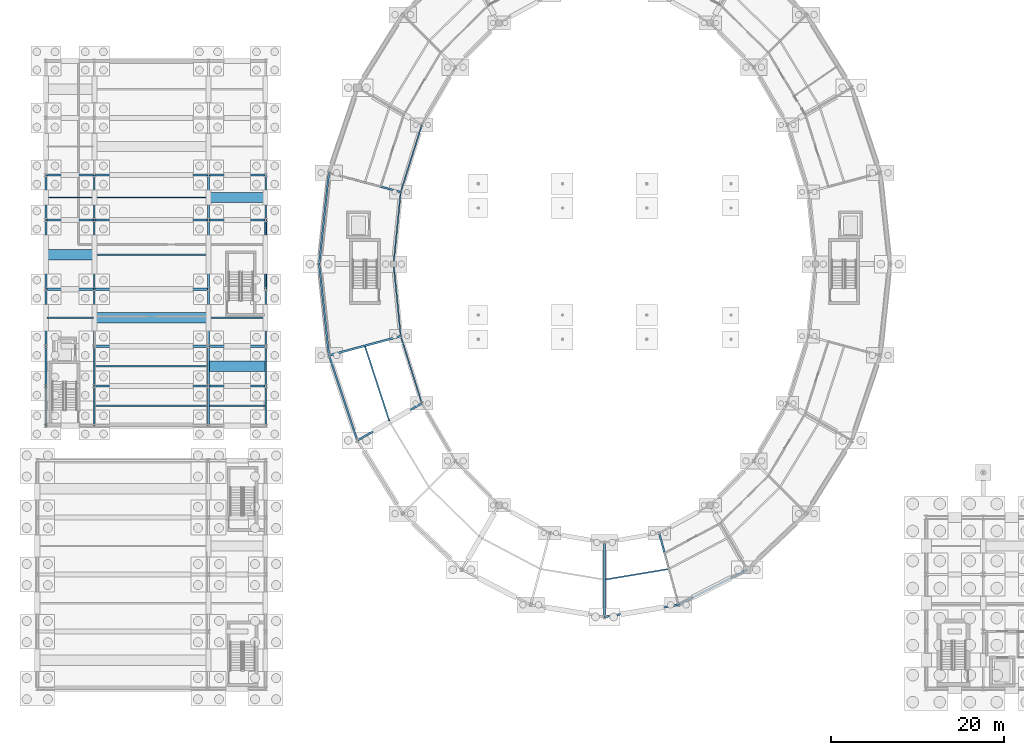
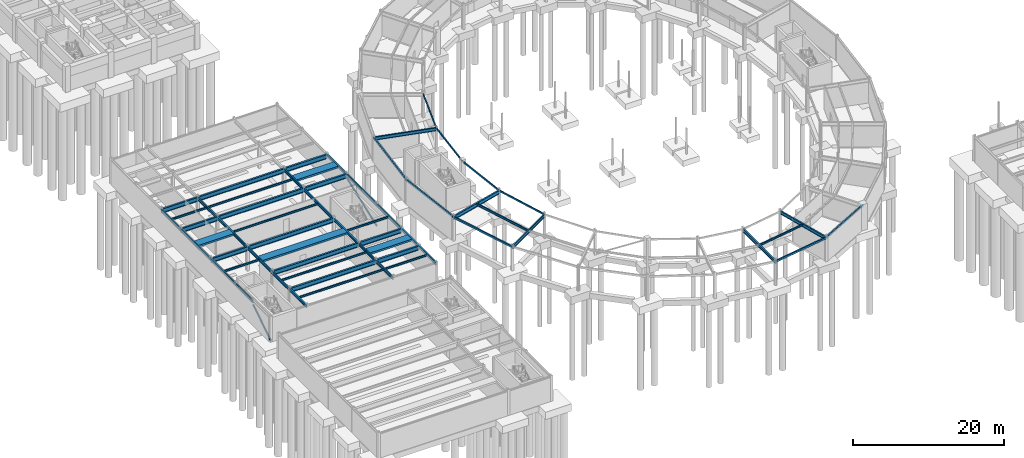
# One storey, part 24 of 58: 59 beams, 2 members.
"""IFC4 building model written with IfcOpenShell, lengths in metres."""

from ifc_helpers import new_model, si_unit, direction, frame, origin, origin_2d, place, context, subcontext, project, spatial, rectangle, hollow_rectangle, hollow_circle, i_section, extrude, material, material_profile, profile_set, type_object, element, save


model = new_model("IFC4")

# Units and contexts
model_context = context("Model", 3, precision=1e-05, world=origin(), true_north=direction((0.0, 1.0)))
body_context = subcontext(model_context, "Body", "Model", "MODEL_VIEW")
ifc_project = project(units=[si_unit("LENGTHUNIT", "METRE"), si_unit("AREAUNIT", "SQUARE_METRE"), si_unit("VOLUMEUNIT", "CUBIC_METRE"), si_unit("PLANEANGLEUNIT", "RADIAN"), si_unit("MASSUNIT", "GRAM", prefix="KILO")], contexts=[model_context])

# Site, building, storey
site_placement = place(None, origin())
site = spatial("IfcSite", under=ifc_project, at=site_placement, CompositionType="ELEMENT")
building_placement = place(site_placement, origin())
building = spatial("IfcBuilding", under=site, at=building_placement, Name="Karori Crest Natural Sciences Institute", CompositionType="ELEMENT")
storey_placement = place(building_placement, frame((0.0, 0.0, -4.199951171875)))
storey = spatial("IfcBuildingStorey", under=building, at=storey_placement, Name="B1", CompositionType="ELEMENT", Elevation=-4.199951171875)

# Beams
ifc_material_1 = material(Name="Structural steel AS/NZS 3679.1 Grade 350", Category="steel")
ifc_material_profile_1 = material_profile(ifc_material_1, i_section(OverallWidth=0.27490234375, OverallDepth=0.699951171875, WebThickness=0.010009765625, FlangeThickness=0.02001953125, FilletRadius=0.013916015625, at=origin_2d()), Name="700WB150")
ifc_profile_set_1 = profile_set([ifc_material_profile_1], Name="Structural steel AS/NZS 3679.1 Grade 350")
beam_type_1 = type_object("IfcBeamType", Name="BT-03", PredefinedType="BEAM", material=ifc_profile_set_1)
beam_1_placement = place(storey_placement, frame((7.39990234375, 35.800048828125, 3.570068359375), z_axis=(1.0, 0.0, 0.0), x_axis=(0.0, 1.0, 0.0)))
element("IfcBeam", 1, at=beam_1_placement, inside=storey, type_object=beam_type_1, Name="Beam B-0876", PredefinedType="BEAM", context=body_context, shape_type="SweptSolid", body=[
    extrude(i_section(OverallWidth=0.27490234375, OverallDepth=0.699951171875, WebThickness=0.010009765625, FlangeThickness=0.02001953125, FilletRadius=0.013916015625, at=origin_2d()), origin(), (0.0, 0.0, 1.0), 13.2001953125),
])
beam_2_placement = place(storey_placement, frame((20.60009765625, 35.800048828125, 3.570068359375), z_axis=(1.0, 0.0, 0.0), x_axis=(0.0, 1.0, 0.0)))
element("IfcBeam", 2, at=beam_2_placement, inside=storey, type_object=beam_type_1, Name="Beam B-0877", PredefinedType="BEAM", context=body_context, shape_type="SweptSolid", body=[
    extrude(i_section(OverallWidth=0.27490234375, OverallDepth=0.699951171875, WebThickness=0.010009765625, FlangeThickness=0.02001953125, FilletRadius=0.013916015625, at=origin_2d()), origin(), (0.0, 0.0, 1.0), 6.599853515625),
])
beam_3_placement = place(storey_placement, frame((7.39990234375, 40.39990234375, 3.570068359375), z_axis=(1.0, 0.0, 0.0), x_axis=(0.0, 1.0, 0.0)))
element("IfcBeam", 3, at=beam_3_placement, inside=storey, type_object=beam_type_1, Name="Beam B-0878", PredefinedType="BEAM", context=body_context, shape_type="SweptSolid", body=[
    extrude(i_section(OverallWidth=0.27490234375, OverallDepth=0.699951171875, WebThickness=0.010009765625, FlangeThickness=0.02001953125, FilletRadius=0.013916015625, at=origin_2d()), origin(), (0.0, 0.0, 1.0), 13.2001953125),
])
beam_4_placement = place(storey_placement, frame((20.60009765625, 40.39990234375, 3.570068359375), z_axis=(1.0, 0.0, 0.0), x_axis=(0.0, 1.0, 0.0)))
element("IfcBeam", 4, at=beam_4_placement, inside=storey, type_object=beam_type_1, Name="Beam B-0879", PredefinedType="BEAM", context=body_context, shape_type="SweptSolid", body=[
    extrude(i_section(OverallWidth=0.27490234375, OverallDepth=0.699951171875, WebThickness=0.010009765625, FlangeThickness=0.02001953125, FilletRadius=0.013916015625, at=origin_2d()), origin(), (0.0, 0.0, 1.0), 6.599853515625),
])
beam_5_placement = place(storey_placement, frame((1.800048828125, 47.0, 3.570068359375), z_axis=(1.0, 0.0, 0.0), x_axis=(0.0, 1.0, 0.0)))
element("IfcBeam", 5, at=beam_5_placement, inside=storey, type_object=beam_type_1, Name="Beam B-0880", PredefinedType="BEAM", context=body_context, shape_type="SweptSolid", body=[
    extrude(i_section(OverallWidth=0.27490234375, OverallDepth=0.699951171875, WebThickness=0.010009765625, FlangeThickness=0.02001953125, FilletRadius=0.013916015625, at=origin_2d()), origin(), (0.0, 0.0, 1.0), 5.599853515625),
])
beam_6_placement = place(storey_placement, frame((7.39990234375, 47.0, 3.570068359375), z_axis=(1.0, 0.0, 0.0), x_axis=(0.0, 1.0, 0.0)))
element("IfcBeam", 6, at=beam_6_placement, inside=storey, type_object=beam_type_1, Name="Beam B-0881", PredefinedType="BEAM", context=body_context, shape_type="SweptSolid", body=[
    extrude(i_section(OverallWidth=0.27490234375, OverallDepth=0.699951171875, WebThickness=0.010009765625, FlangeThickness=0.02001953125, FilletRadius=0.013916015625, at=origin_2d()), origin(), (0.0, 0.0, 1.0), 13.2001953125),
])
beam_7_placement = place(storey_placement, frame((1.800048828125, 55.0, 3.570068359375), z_axis=(1.0, 0.0, 0.0), x_axis=(0.0, 1.0, 0.0)))
element("IfcBeam", 7, at=beam_7_placement, inside=storey, type_object=beam_type_1, Name="Beam B-0882", PredefinedType="BEAM", context=body_context, shape_type="SweptSolid", body=[
    extrude(i_section(OverallWidth=0.27490234375, OverallDepth=0.699951171875, WebThickness=0.010009765625, FlangeThickness=0.02001953125, FilletRadius=0.013916015625, at=origin_2d()), origin(), (0.0, 0.0, 1.0), 5.599853515625),
])
beam_8_placement = place(storey_placement, frame((7.39990234375, 55.0, 3.570068359375), z_axis=(1.0, 0.0, 0.0), x_axis=(0.0, 1.0, 0.0)))
element("IfcBeam", 8, at=beam_8_placement, inside=storey, type_object=beam_type_1, Name="Beam B-0883", PredefinedType="BEAM", context=body_context, shape_type="SweptSolid", body=[
    extrude(i_section(OverallWidth=0.27490234375, OverallDepth=0.699951171875, WebThickness=0.010009765625, FlangeThickness=0.02001953125, FilletRadius=0.013916015625, at=origin_2d()), origin(), (0.0, 0.0, 1.0), 13.2001953125),
])
beam_9_placement = place(storey_placement, frame((20.60009765625, 55.0, 3.570068359375), z_axis=(1.0, 0.0, 0.0), x_axis=(0.0, 1.0, 0.0)))
element("IfcBeam", 9, at=beam_9_placement, inside=storey, type_object=beam_type_1, Name="Beam B-0884", PredefinedType="BEAM", context=body_context, shape_type="SweptSolid", body=[
    extrude(i_section(OverallWidth=0.27490234375, OverallDepth=0.699951171875, WebThickness=0.010009765625, FlangeThickness=0.02001953125, FilletRadius=0.013916015625, at=origin_2d()), origin(), (0.0, 0.0, 1.0), 6.599853515625),
])
beam_10_placement = place(storey_placement, frame((1.800048828125, 60.199951171875, 3.570068359375), z_axis=(1.0, 0.0, 0.0), x_axis=(0.0, 1.0, 0.0)))
element("IfcBeam", 10, at=beam_10_placement, inside=storey, type_object=beam_type_1, Name="Beam B-0885", PredefinedType="BEAM", context=body_context, shape_type="SweptSolid", body=[
    extrude(i_section(OverallWidth=0.27490234375, OverallDepth=0.699951171875, WebThickness=0.010009765625, FlangeThickness=0.02001953125, FilletRadius=0.013916015625, at=origin_2d()), origin(), (0.0, 0.0, 1.0), 5.599853515625),
])
beam_11_placement = place(storey_placement, frame((7.39990234375, 60.199951171875, 3.570068359375), z_axis=(1.0, 0.0, 0.0), x_axis=(0.0, 1.0, 0.0)))
element("IfcBeam", 11, at=beam_11_placement, inside=storey, type_object=beam_type_1, Name="Beam B-0886", PredefinedType="BEAM", context=body_context, shape_type="SweptSolid", body=[
    extrude(i_section(OverallWidth=0.27490234375, OverallDepth=0.699951171875, WebThickness=0.010009765625, FlangeThickness=0.02001953125, FilletRadius=0.013916015625, at=origin_2d()), origin(), (0.0, 0.0, 1.0), 13.2001953125),
])
beam_12_placement = place(storey_placement, frame((20.60009765625, 60.199951171875, 3.570068359375), z_axis=(1.0, 0.0, 0.0), x_axis=(0.0, 1.0, 0.0)))
element("IfcBeam", 12, at=beam_12_placement, inside=storey, type_object=beam_type_1, Name="Beam B-0887", PredefinedType="BEAM", context=body_context, shape_type="SweptSolid", body=[
    extrude(i_section(OverallWidth=0.27490234375, OverallDepth=0.699951171875, WebThickness=0.010009765625, FlangeThickness=0.02001953125, FilletRadius=0.013916015625, at=origin_2d()), origin(), (0.0, 0.0, 1.0), 6.599853515625),
])
ifc_material_profile_2 = material_profile(ifc_material_1, i_section(OverallWidth=0.208984375, OverallDepth=0.532958984375, WebThickness=0.01025390625, FlangeThickness=0.015625, FilletRadius=0.013916015625, at=origin_2d()), Name="530UB92.4")
ifc_profile_set_2 = profile_set([ifc_material_profile_2], Name="Structural steel AS/NZS 3679.1 Grade 350")
beam_type_2 = type_object("IfcBeamType", Name="BT-05", PredefinedType="BEAM", material=ifc_profile_set_2)
for number, where, z_axis, x_axis, name in (
    (13, (42.831298828125, 58.23388671875, 3.67333984375), (-0.965925622404, 0.258819806009, 0.0), (-0.258819806009, -0.965925622404, 0.0), "Beam B-0045"),
    (14, (45.26904296875, 33.800048828125, 3.67333984375), (-0.866021068297, -0.500007509209, 0.0), (0.500007509209, -0.866021068297, 0.0), "Beam B-0054"),
    (15, (66.39990234375, 17.699951171875, 3.67333984375), (0.0, -1.0, 0.0), (1.0, 0.0, 0.0), "Beam B-0070"),
    (16, (72.715087890625, 18.797119140625, 3.67333984375), (0.258819806009, -0.965925622404, 0.0), (0.965925622404, 0.258819806009, 0.0), "Beam B-0074"),
):
    element("IfcBeam", number, at=place(storey_placement, frame(where, z_axis=z_axis, x_axis=x_axis)), inside=storey, type_object=beam_type_2, Name=name, PredefinedType="BEAM", context=body_context, shape_type="SweptSolid", body=[
        extrude(i_section(OverallWidth=0.208984375, OverallDepth=0.532958984375, WebThickness=0.01025390625, FlangeThickness=0.015625, FilletRadius=0.013916015625, at=origin_2d()), origin(), (0.0, 0.0, 1.0), 8.599853515625),
    ])
ifc_material_profile_3 = material_profile(ifc_material_1, i_section(OverallWidth=0.19091796875, OverallDepth=0.4599609375, WebThickness=0.010009765625, FlangeThickness=0.01611328125, FilletRadius=0.010986328125, at=origin_2d()), Name="460UB82.1")
ifc_profile_set_3 = profile_set([ifc_material_profile_3], Name="Structural steel AS/NZS 3679.1 Grade 350")
beam_type_3 = type_object("IfcBeamType", Name="BT-06", PredefinedType="BEAM", material=ifc_profile_set_3)
beam_13_placement = place(storey_placement, frame((7.39990234375, 31.199951171875, 3.68994140625), z_axis=(0.0, 1.0, 0.0), x_axis=(-1.0, 0.0, 0.0)))
element("IfcBeam", 17, at=beam_13_placement, inside=storey, type_object=beam_type_3, Name="Beam B-0901", PredefinedType="BEAM", context=body_context, shape_type="SweptSolid", body=[
    extrude(i_section(OverallWidth=0.19091796875, OverallDepth=0.4599609375, WebThickness=0.010009765625, FlangeThickness=0.01611328125, FilletRadius=0.010986328125, at=origin_2d()), origin(), (0.0, 0.0, 1.0), 4.60009765625),
])
beam_14_placement = place(storey_placement, frame((7.39990234375, 35.800048828125, 3.68994140625), z_axis=(0.0, 1.0, 0.0), x_axis=(-1.0, 0.0, 0.0)))
element("IfcBeam", 18, at=beam_14_placement, inside=storey, type_object=beam_type_3, Name="Beam B-0902", PredefinedType="BEAM", context=body_context, shape_type="SweptSolid", body=[
    extrude(i_section(OverallWidth=0.19091796875, OverallDepth=0.4599609375, WebThickness=0.010009765625, FlangeThickness=0.01611328125, FilletRadius=0.010986328125, at=origin_2d()), origin(), (0.0, 0.0, 1.0), 4.599853515625),
])
beam_15_placement = place(storey_placement, frame((7.39990234375, 40.39990234375, 3.68994140625), z_axis=(0.0, 1.0, 0.0), x_axis=(-1.0, 0.0, 0.0)))
element("IfcBeam", 19, at=beam_15_placement, inside=storey, type_object=beam_type_3, Name="Beam B-0903", PredefinedType="BEAM", context=body_context, shape_type="SweptSolid", body=[
    extrude(i_section(OverallWidth=0.19091796875, OverallDepth=0.4599609375, WebThickness=0.010009765625, FlangeThickness=0.01611328125, FilletRadius=0.010986328125, at=origin_2d()), origin(), (0.0, 0.0, 1.0), 6.60009765625),
])
beam_16_placement = place(storey_placement, frame((7.39990234375, 47.0, 3.68994140625), z_axis=(0.0, 1.0, 0.0), x_axis=(-1.0, 0.0, 0.0)))
element("IfcBeam", 20, at=beam_16_placement, inside=storey, type_object=beam_type_3, Name="Beam B-0904", PredefinedType="BEAM", context=body_context, shape_type="SweptSolid", body=[
    extrude(i_section(OverallWidth=0.19091796875, OverallDepth=0.4599609375, WebThickness=0.010009765625, FlangeThickness=0.01611328125, FilletRadius=0.010986328125, at=origin_2d()), origin(), (0.0, 0.0, 1.0), 8.0),
])
beam_17_placement = place(storey_placement, frame((7.39990234375, 55.0, 3.68994140625), z_axis=(0.0, 1.0, 0.0), x_axis=(-1.0, 0.0, 0.0)))
element("IfcBeam", 21, at=beam_17_placement, inside=storey, type_object=beam_type_3, Name="Beam B-0905", PredefinedType="BEAM", context=body_context, shape_type="SweptSolid", body=[
    extrude(i_section(OverallWidth=0.19091796875, OverallDepth=0.4599609375, WebThickness=0.010009765625, FlangeThickness=0.01611328125, FilletRadius=0.010986328125, at=origin_2d()), origin(), (0.0, 0.0, 1.0), 5.199951171875),
])
beam_18_placement = place(storey_placement, frame((20.60009765625, 31.199951171875, 3.68994140625), z_axis=(0.0, 1.0, 0.0), x_axis=(-1.0, 0.0, 0.0)))
element("IfcBeam", 22, at=beam_18_placement, inside=storey, type_object=beam_type_3, Name="Beam B-0908", PredefinedType="BEAM", context=body_context, shape_type="SweptSolid", body=[
    extrude(i_section(OverallWidth=0.19091796875, OverallDepth=0.4599609375, WebThickness=0.010009765625, FlangeThickness=0.01611328125, FilletRadius=0.010986328125, at=origin_2d()), origin(), (0.0, 0.0, 1.0), 4.60009765625),
])
beam_19_placement = place(storey_placement, frame((20.60009765625, 35.800048828125, 3.68994140625), z_axis=(0.0, 1.0, 0.0), x_axis=(-1.0, 0.0, 0.0)))
element("IfcBeam", 23, at=beam_19_placement, inside=storey, type_object=beam_type_3, Name="Beam B-0909", PredefinedType="BEAM", context=body_context, shape_type="SweptSolid", body=[
    extrude(i_section(OverallWidth=0.19091796875, OverallDepth=0.4599609375, WebThickness=0.010009765625, FlangeThickness=0.01611328125, FilletRadius=0.010986328125, at=origin_2d()), origin(), (0.0, 0.0, 1.0), 4.599853515625),
])
beam_20_placement = place(storey_placement, frame((20.60009765625, 40.39990234375, 3.68994140625), z_axis=(0.0, 1.0, 0.0), x_axis=(-1.0, 0.0, 0.0)))
element("IfcBeam", 24, at=beam_20_placement, inside=storey, type_object=beam_type_3, Name="Beam B-0910", PredefinedType="BEAM", context=body_context, shape_type="SweptSolid", body=[
    extrude(i_section(OverallWidth=0.19091796875, OverallDepth=0.4599609375, WebThickness=0.010009765625, FlangeThickness=0.01611328125, FilletRadius=0.010986328125, at=origin_2d()), origin(), (0.0, 0.0, 1.0), 6.60009765625),
])
beam_21_placement = place(storey_placement, frame((20.60009765625, 47.0, 3.68994140625), z_axis=(0.0, 1.0, 0.0), x_axis=(-1.0, 0.0, 0.0)))
element("IfcBeam", 25, at=beam_21_placement, inside=storey, type_object=beam_type_3, Name="Beam B-0911", PredefinedType="BEAM", context=body_context, shape_type="SweptSolid", body=[
    extrude(i_section(OverallWidth=0.19091796875, OverallDepth=0.4599609375, WebThickness=0.010009765625, FlangeThickness=0.01611328125, FilletRadius=0.010986328125, at=origin_2d()), origin(), (0.0, 0.0, 1.0), 8.0),
])
beam_22_placement = place(storey_placement, frame((20.60009765625, 55.0, 3.68994140625), z_axis=(0.0, 1.0, 0.0), x_axis=(-1.0, 0.0, 0.0)))
element("IfcBeam", 26, at=beam_22_placement, inside=storey, type_object=beam_type_3, Name="Beam B-0912", PredefinedType="BEAM", context=body_context, shape_type="SweptSolid", body=[
    extrude(i_section(OverallWidth=0.19091796875, OverallDepth=0.4599609375, WebThickness=0.010009765625, FlangeThickness=0.01611328125, FilletRadius=0.010986328125, at=origin_2d()), origin(), (0.0, 0.0, 1.0), 5.199951171875),
])
ifc_material_profile_4 = material_profile(ifc_material_1, i_section(OverallWidth=0.19091796875, OverallDepth=0.4599609375, WebThickness=0.010009765625, FlangeThickness=0.01611328125, FilletRadius=0.010986328125, at=origin_2d()), Name="460UB82.1")
ifc_profile_set_4 = profile_set([ifc_material_profile_4], Name="Structural steel AS/NZS 3679.1 Grade 350")
beam_type_4 = type_object("IfcBeamType", Name="BT-06-EL", PredefinedType="BEAM", material=ifc_profile_set_4)
beam_23_placement = place(storey_placement, frame((1.800048828125, 35.800048828125, 3.68994140625), z_axis=(0.0, 1.0, 0.0), x_axis=(-1.0, 0.0, 0.0)))
element("IfcBeam", 27, at=beam_23_placement, inside=storey, type_object=beam_type_4, Name="Beam B-0895", PredefinedType="BEAM", context=body_context, shape_type="SweptSolid", body=[
    extrude(i_section(OverallWidth=0.19091796875, OverallDepth=0.4599609375, WebThickness=0.010009765625, FlangeThickness=0.01611328125, FilletRadius=0.010986328125, at=origin_2d()), origin(), (0.0, 0.0, 1.0), 4.599853515625),
])
beam_24_placement = place(storey_placement, frame((1.800048828125, 40.39990234375, 3.68994140625), z_axis=(0.0, 1.0, 0.0), x_axis=(-1.0, 0.0, 0.0)))
element("IfcBeam", 28, at=beam_24_placement, inside=storey, type_object=beam_type_4, Name="Beam B-0896", PredefinedType="BEAM", context=body_context, shape_type="SweptSolid", body=[
    extrude(i_section(OverallWidth=0.19091796875, OverallDepth=0.4599609375, WebThickness=0.010009765625, FlangeThickness=0.01611328125, FilletRadius=0.010986328125, at=origin_2d()), origin(), (0.0, 0.0, 1.0), 6.60009765625),
])
beam_25_placement = place(storey_placement, frame((1.800048828125, 47.0, 3.68994140625), z_axis=(0.0, 1.0, 0.0), x_axis=(-1.0, 0.0, 0.0)))
element("IfcBeam", 29, at=beam_25_placement, inside=storey, type_object=beam_type_4, Name="Beam B-0897", PredefinedType="BEAM", context=body_context, shape_type="SweptSolid", body=[
    extrude(i_section(OverallWidth=0.19091796875, OverallDepth=0.4599609375, WebThickness=0.010009765625, FlangeThickness=0.01611328125, FilletRadius=0.010986328125, at=origin_2d()), origin(), (0.0, 0.0, 1.0), 8.0),
])
beam_26_placement = place(storey_placement, frame((1.800048828125, 55.0, 3.68994140625), z_axis=(0.0, 1.0, 0.0), x_axis=(-1.0, 0.0, 0.0)))
element("IfcBeam", 30, at=beam_26_placement, inside=storey, type_object=beam_type_4, Name="Beam B-0898", PredefinedType="BEAM", context=body_context, shape_type="SweptSolid", body=[
    extrude(i_section(OverallWidth=0.19091796875, OverallDepth=0.4599609375, WebThickness=0.010009765625, FlangeThickness=0.01611328125, FilletRadius=0.010986328125, at=origin_2d()), origin(), (0.0, 0.0, 1.0), 5.199951171875),
])
beam_27_placement = place(storey_placement, frame((27.199951171875, 31.199951171875, 3.68994140625), z_axis=(0.0, 1.0, 0.0), x_axis=(-1.0, 0.0, 0.0)))
element("IfcBeam", 31, at=beam_27_placement, inside=storey, type_object=beam_type_4, Name="Beam B-0915", PredefinedType="BEAM", context=body_context, shape_type="SweptSolid", body=[
    extrude(i_section(OverallWidth=0.19091796875, OverallDepth=0.4599609375, WebThickness=0.010009765625, FlangeThickness=0.01611328125, FilletRadius=0.010986328125, at=origin_2d()), origin(), (0.0, 0.0, 1.0), 4.60009765625),
])
beam_28_placement = place(storey_placement, frame((27.199951171875, 35.800048828125, 3.68994140625), z_axis=(0.0, 1.0, 0.0), x_axis=(-1.0, 0.0, 0.0)))
element("IfcBeam", 32, at=beam_28_placement, inside=storey, type_object=beam_type_4, Name="Beam B-0916", PredefinedType="BEAM", context=body_context, shape_type="SweptSolid", body=[
    extrude(i_section(OverallWidth=0.19091796875, OverallDepth=0.4599609375, WebThickness=0.010009765625, FlangeThickness=0.01611328125, FilletRadius=0.010986328125, at=origin_2d()), origin(), (0.0, 0.0, 1.0), 4.599853515625),
])
beam_29_placement = place(storey_placement, frame((27.199951171875, 40.39990234375, 3.68994140625), z_axis=(0.0, 1.0, 0.0), x_axis=(-1.0, 0.0, 0.0)))
element("IfcBeam", 33, at=beam_29_placement, inside=storey, type_object=beam_type_4, Name="Beam B-0917", PredefinedType="BEAM", context=body_context, shape_type="SweptSolid", body=[
    extrude(i_section(OverallWidth=0.19091796875, OverallDepth=0.4599609375, WebThickness=0.010009765625, FlangeThickness=0.01611328125, FilletRadius=0.010986328125, at=origin_2d()), origin(), (0.0, 0.0, 1.0), 6.60009765625),
])
beam_30_placement = place(storey_placement, frame((27.199951171875, 47.0, 3.68994140625), z_axis=(0.0, 1.0, 0.0), x_axis=(-1.0, 0.0, 0.0)))
element("IfcBeam", 34, at=beam_30_placement, inside=storey, type_object=beam_type_4, Name="Beam B-0918", PredefinedType="BEAM", context=body_context, shape_type="SweptSolid", body=[
    extrude(i_section(OverallWidth=0.19091796875, OverallDepth=0.4599609375, WebThickness=0.010009765625, FlangeThickness=0.01611328125, FilletRadius=0.010986328125, at=origin_2d()), origin(), (0.0, 0.0, 1.0), 8.0),
])
beam_31_placement = place(storey_placement, frame((27.199951171875, 55.0, 3.68994140625), z_axis=(0.0, 1.0, 0.0), x_axis=(-1.0, 0.0, 0.0)))
element("IfcBeam", 35, at=beam_31_placement, inside=storey, type_object=beam_type_4, Name="Beam B-0919", PredefinedType="BEAM", context=body_context, shape_type="SweptSolid", body=[
    extrude(i_section(OverallWidth=0.19091796875, OverallDepth=0.4599609375, WebThickness=0.010009765625, FlangeThickness=0.01611328125, FilletRadius=0.010986328125, at=origin_2d()), origin(), (0.0, 0.0, 1.0), 5.199951171875),
])
ifc_material_profile_5 = material_profile(ifc_material_1, i_section(OverallWidth=0.166015625, OverallDepth=0.306884765625, WebThickness=0.006591796875, FlangeThickness=0.01171875, FilletRadius=0.010986328125, at=origin_2d()), Name="310UB46.2")
ifc_profile_set_5 = profile_set([ifc_material_profile_5], Name="Structural steel AS/NZS 3679.1 Grade 350")
beam_type_5 = type_object("IfcBeamType", Name="BT-09", PredefinedType="BEAM", material=ifc_profile_set_5)
for number, where, z_axis, x_axis, name in (
    (36, (1.8955078125, 43.699951171875, 3.766357421875), (1.0, 0.0, 0.0), (0.0, 1.0, 0.0), "Beam B-0922"),
    (37, (1.8955078125, 57.60009765625, 3.766357421875), (1.0, 0.0, 0.0), (0.0, 1.0, 0.0), "Beam B-0924"),
):
    element("IfcBeam", number, at=place(storey_placement, frame(where, z_axis=z_axis, x_axis=x_axis)), inside=storey, type_object=beam_type_5, Name=name, PredefinedType="BEAM", context=body_context, shape_type="SweptSolid", body=[
        extrude(i_section(OverallWidth=0.166015625, OverallDepth=0.306884765625, WebThickness=0.006591796875, FlangeThickness=0.01171875, FilletRadius=0.010986328125, at=origin_2d()), origin(), (0.0, 0.0, 1.0), 5.408935546875),
    ])
for number, where, z_axis, x_axis, name in (
    (38, (7.49560546875, 33.5, 3.766357421875), (1.0, 0.0, 0.0), (0.0, 1.0, 0.0), "Beam B-0927"),
    (39, (7.49560546875, 38.10009765625, 3.766357421875), (1.0, 0.0, 0.0), (0.0, 1.0, 0.0), "Beam B-0928"),
    (40, (7.49560546875, 51.0, 3.766357421875), (1.0, 0.0, 0.0), (0.0, 1.0, 0.0), "Beam B-0930"),
    (41, (7.49560546875, 57.60009765625, 3.766357421875), (1.0, 0.0, 0.0), (0.0, 1.0, 0.0), "Beam B-0931"),
):
    element("IfcBeam", number, at=place(storey_placement, frame(where, z_axis=z_axis, x_axis=x_axis)), inside=storey, type_object=beam_type_5, Name=name, PredefinedType="BEAM", context=body_context, shape_type="SweptSolid", body=[
        extrude(i_section(OverallWidth=0.166015625, OverallDepth=0.306884765625, WebThickness=0.006591796875, FlangeThickness=0.01171875, FilletRadius=0.010986328125, at=origin_2d()), origin(), (0.0, 0.0, 1.0), 13.0087890625),
    ])
for number, where, z_axis, x_axis, name in (
    (42, (20.695556640625, 33.5, 3.766357421875), (1.0, 0.0, 0.0), (0.0, 1.0, 0.0), "Beam B-0934"),
    (43, (20.695556640625, 43.699951171875, 3.766357421875), (1.0, 0.0, 0.0), (0.0, 1.0, 0.0), "Beam B-0936"),
):
    element("IfcBeam", number, at=place(storey_placement, frame(where, z_axis=z_axis, x_axis=x_axis)), inside=storey, type_object=beam_type_5, Name=name, PredefinedType="BEAM", context=body_context, shape_type="SweptSolid", body=[
        extrude(i_section(OverallWidth=0.166015625, OverallDepth=0.306884765625, WebThickness=0.006591796875, FlangeThickness=0.01171875, FilletRadius=0.010986328125, at=origin_2d()), origin(), (0.0, 0.0, 1.0), 6.408935546875),
    ])
ifc_material_profile_6 = material_profile(ifc_material_1, i_section(OverallWidth=0.1650390625, OverallDepth=0.303955078125, WebThickness=0.006103515625, FlangeThickness=0.01025390625, FilletRadius=0.010986328125, at=origin_2d()), Name="310UB40.4")
ifc_profile_set_6 = profile_set([ifc_material_profile_6], Name="Structural steel AS/NZS 3679.1 Grade 350")
beam_type_6 = type_object("IfcBeamType", Name="BT-10", PredefinedType="BEAM", material=ifc_profile_set_6)
beam_32_placement = place(storey_placement, frame((66.518310546875, 13.419921875, 3.787841796875), z_axis=(0.986276028212, 0.165104803609, 0.0), x_axis=(-0.165104803609, 0.986276028212, 0.0)))
element("IfcBeam", 44, at=beam_32_placement, inside=storey, type_object=beam_type_6, Name="Beam B-0071", PredefinedType="BEAM", context=body_context, shape_type="SweptSolid", body=[
    extrude(i_section(OverallWidth=0.1650390625, OverallDepth=0.303955078125, WebThickness=0.006103515625, FlangeThickness=0.01025390625, FilletRadius=0.010986328125, at=origin_2d()), origin(), (0.0, 0.0, 1.0), 7.29150390625),
])
ifc_material_2 = material(Name="Hollow structural steel AS/NZS 1163 Grade C350", Category="steel")
ifc_material_profile_7 = material_profile(ifc_material_2, hollow_rectangle(XDim=0.199951171875, YDim=0.300048828125, WallThickness=0.010009765625, at=origin_2d()), Name="RHS300x200x10")
ifc_profile_set_7 = profile_set([ifc_material_profile_7], Name="Hollow structural steel AS/NZS 1163 Grade C350")
beam_type_7 = type_object("IfcBeamType", Name="BT-15", PredefinedType="SPANDREL", material=ifc_profile_set_7)
for number, where, z_axis, x_axis, name in (
    (45, (34.5244140625, 60.459716796875, 3.7900390625), (-0.105891010563, -0.994377742049, 0.0), (0.994377742049, -0.105891010563, 0.0), "Beam B-0043"),
    (46, (33.39990234375, 49.89990234375, 3.7900390625), (0.105891010563, -0.994377742049, 0.0), (0.994377742049, 0.105891010563, 0.0), "Beam B-0046"),
):
    element("IfcBeam", number, at=place(storey_placement, frame(where, z_axis=z_axis, x_axis=x_axis)), inside=storey, type_object=beam_type_7, Name=name, PredefinedType="SPANDREL", context=body_context, shape_type="SweptSolid", body=[
        extrude(hollow_rectangle(XDim=0.199951171875, YDim=0.300048828125, WallThickness=0.010009765625, at=origin_2d()), origin(), (0.0, 0.0, 1.0), 10.61962890625),
    ])
beam_33_placement = place(storey_placement, frame((34.5244140625, 39.340087890625, 3.7900390625), z_axis=(0.317688324477, -0.948195195353, 0.0), x_axis=(0.948195195353, 0.317688324477, 0.0)))
element("IfcBeam", 47, at=beam_33_placement, inside=storey, type_object=beam_type_7, Name="Beam B-0048", PredefinedType="SPANDREL", context=body_context, shape_type="SweptSolid", body=[
    extrude(hollow_rectangle(XDim=0.199951171875, YDim=0.300048828125, WallThickness=0.010009765625, at=origin_2d()), origin(), (0.0, 0.0, 1.0), 10.377685546875),
])
beam_34_placement = place(storey_placement, frame((66.39990234375, 9.10009765625, 3.7900390625), z_axis=(0.987012055933, 0.160646199591, 0.0), x_axis=(-0.160646199591, 0.987012055933, 0.0)))
element("IfcBeam", 48, at=beam_34_placement, inside=storey, type_object=beam_type_7, Name="Beam B-0068", PredefinedType="SPANDREL", context=body_context, shape_type="SweptSolid", body=[
    extrude(hollow_rectangle(XDim=0.199951171875, YDim=0.300048828125, WallThickness=0.010009765625, at=origin_2d()), origin(), (0.0, 0.0, 1.0), 8.6533203125),
])
beam_35_placement = place(storey_placement, frame((74.94091796875, 10.490234375, 3.7900390625), z_axis=(0.890071733872, 0.455820478436, 0.0), x_axis=(-0.455820478436, 0.890071733872, 0.0)))
element("IfcBeam", 49, at=beam_35_placement, inside=storey, type_object=beam_type_7, Name="Beam B-0072", PredefinedType="SPANDREL", context=body_context, shape_type="SweptSolid", body=[
    extrude(hollow_rectangle(XDim=0.199951171875, YDim=0.300048828125, WallThickness=0.010009765625, at=origin_2d()), origin(), (0.0, 0.0, 1.0), 8.94189453125),
])
ifc_material_profile_8 = material_profile(ifc_material_2, hollow_rectangle(XDim=0.14990234375, YDim=0.25, WallThickness=0.009033203125, at=origin_2d()), Name="RHS250x150x9")
ifc_profile_set_8 = profile_set([ifc_material_profile_8], Name="Hollow structural steel AS/NZS 1163 Grade C350")
beam_type_8 = type_object("IfcBeamType", Name="BT-16", PredefinedType="SPANDREL", material=ifc_profile_set_8)
beam_36_placement = place(storey_placement, frame((45.26904296875, 66.0, 3.7900390625), z_axis=(-0.299487310016, -0.954100283586, 0.0), x_axis=(0.954100283586, -0.299487310016, 0.0)))
element("IfcBeam", 50, at=beam_36_placement, inside=storey, type_object=beam_type_8, Name="Beam B-0040", PredefinedType="SPANDREL", context=body_context, shape_type="SweptSolid", body=[
    extrude(hollow_rectangle(XDim=0.14990234375, YDim=0.25, WallThickness=0.009033203125, at=origin_2d()), origin(), (0.0, 0.0, 1.0), 8.1396484375),
])
for number, where, z_axis, x_axis, name in (
    (51, (42.831298828125, 58.23388671875, 3.7900390625), (-0.099255508608, -0.995061979985, 0.0), (0.995061979985, -0.099255508608, 0.0), "Beam B-0044"),
    (52, (42.0, 49.89990234375, 3.7900390625), (0.099255508608, -0.995061979985, 0.0), (0.995061979985, 0.099255508608, 0.0), "Beam B-0047"),
):
    element("IfcBeam", number, at=place(storey_placement, frame(where, z_axis=z_axis, x_axis=x_axis)), inside=storey, type_object=beam_type_8, Name=name, PredefinedType="SPANDREL", context=body_context, shape_type="SweptSolid", body=[
        extrude(hollow_rectangle(XDim=0.14990234375, YDim=0.25, WallThickness=0.009033203125, at=origin_2d()), origin(), (0.0, 0.0, 1.0), 8.375244140625),
    ])
beam_37_placement = place(storey_placement, frame((42.831298828125, 41.56591796875, 3.7900390625), z_axis=(0.299495880683, -0.954097593254, 0.0), x_axis=(0.954097593254, 0.299495880683, 0.0)))
element("IfcBeam", 53, at=beam_37_placement, inside=storey, type_object=beam_type_8, Name="Beam B-0049", PredefinedType="SPANDREL", context=body_context, shape_type="SweptSolid", body=[
    extrude(hollow_rectangle(XDim=0.14990234375, YDim=0.25, WallThickness=0.009033203125, at=origin_2d()), origin(), (0.0, 0.0, 1.0), 8.139404296875),
])
ifc_material_3 = material(Name="Concrete 40 MPa", Category="concrete")
ifc_material_profile_9 = material_profile(ifc_material_3, rectangle(XDim=1.199951171875, YDim=0.300048828125, at=origin_2d()), Name="HCP1200x300")
ifc_profile_set_9 = profile_set([ifc_material_profile_9], Name="Concrete 40 MPa")
beam_type_9 = type_object("IfcBeamType", Name="BT-25", PredefinedType="HOLLOWCORE", material=ifc_profile_set_9)
beam_38_placement = place(storey_placement, frame((1.8955078125, 51.0, 3.77001953125), z_axis=(1.0, 0.0, 0.0), x_axis=(0.0, 1.0, 0.0)))
element("IfcBeam", 54, at=beam_38_placement, inside=storey, type_object=beam_type_9, Name="Beam B-0923", PredefinedType="HOLLOWCORE", context=body_context, shape_type="SweptSolid", body=[
    extrude(rectangle(XDim=1.199951171875, YDim=0.300048828125, at=origin_2d()), origin(), (0.0, 0.0, 1.0), 5.408935546875),
])
beam_39_placement = place(storey_placement, frame((7.49560546875, 43.699951171875, 3.77001953125), z_axis=(1.0, 0.0, 0.0), x_axis=(0.0, 1.0, 0.0)))
element("IfcBeam", 55, at=beam_39_placement, inside=storey, type_object=beam_type_9, Name="Beam B-0929", PredefinedType="HOLLOWCORE", context=body_context, shape_type="SweptSolid", body=[
    extrude(rectangle(XDim=1.199951171875, YDim=0.300048828125, at=origin_2d()), origin(), (0.0, 0.0, 1.0), 13.0087890625),
])
for number, where, z_axis, x_axis, name in (
    (56, (20.695556640625, 38.10009765625, 3.77001953125), (1.0, 0.0, 0.0), (0.0, 1.0, 0.0), "Beam B-0935"),
    (57, (20.695556640625, 57.60009765625, 3.77001953125), (1.0, 0.0, 0.0), (0.0, 1.0, 0.0), "Beam B-0937"),
):
    element("IfcBeam", number, at=place(storey_placement, frame(where, z_axis=z_axis, x_axis=x_axis)), inside=storey, type_object=beam_type_9, Name=name, PredefinedType="HOLLOWCORE", context=body_context, shape_type="SweptSolid", body=[
        extrude(rectangle(XDim=1.199951171875, YDim=0.300048828125, at=origin_2d()), origin(), (0.0, 0.0, 1.0), 6.408935546875),
    ])
ifc_material_profile_10 = material_profile(ifc_material_1, i_section(OverallWidth=0.22802734375, OverallDepth=0.60205078125, WebThickness=0.010498046875, FlangeThickness=0.014892578125, FilletRadius=0.013916015625, at=origin_2d()), Name="610UB101")
ifc_profile_set_10 = profile_set([ifc_material_profile_10], Name="Structural steel AS/NZS 3679.1 Grade 350")
beam_type_10 = type_object("IfcBeamType", Name="BT-27", PredefinedType="BEAM", material=ifc_profile_set_10)
beam_40_placement = place(storey_placement, frame((42.831298828125, 41.56591796875, 3.638916015625), z_axis=(-0.965925622404, -0.258819806009, 0.0), x_axis=(0.258819806009, -0.965925622404, 0.0)))
element("IfcBeam", 58, at=beam_40_placement, inside=storey, type_object=beam_type_10, Name="Beam B-0050", PredefinedType="BEAM", context=body_context, shape_type="SweptSolid", body=[
    extrude(i_section(OverallWidth=0.22802734375, OverallDepth=0.60205078125, WebThickness=0.010498046875, FlangeThickness=0.014892578125, FilletRadius=0.013916015625, at=origin_2d()), origin(), (0.0, 0.0, 1.0), 8.599853515625),
])
ifc_material_profile_11 = material_profile(ifc_material_1, i_section(OverallWidth=0.1708984375, OverallDepth=0.35595703125, WebThickness=0.00732421875, FlangeThickness=0.011474609375, FilletRadius=0.010986328125, at=origin_2d()), Name="360UB50.7")
ifc_profile_set_11 = profile_set([ifc_material_profile_11], Name="Structural steel AS/NZS 3679.1 Grade 350")
beam_type_11 = type_object("IfcBeamType", Name="BT-30", PredefinedType="BEAM", material=ifc_profile_set_11)
beam_41_placement = place(storey_placement, frame((38.715087890625, 40.339111328125, 3.761962890625), z_axis=(0.309674277679, -0.950842700842, 0.0), x_axis=(0.950842700842, 0.309674277679, 0.0)))
element("IfcBeam", 59, at=beam_41_placement, inside=storey, type_object=beam_type_11, Name="Beam B-0051", PredefinedType="BEAM", context=body_context, shape_type="SweptSolid", body=[
    extrude(i_section(OverallWidth=0.1708984375, OverallDepth=0.35595703125, WebThickness=0.00732421875, FlangeThickness=0.011474609375, FilletRadius=0.010986328125, at=origin_2d()), origin(), (0.0, 0.0, 1.0), 9.018310546875),
])

# Members
ifc_material_profile_12 = material_profile(ifc_material_2, hollow_circle(Radius=0.136474609375, WallThickness=0.00927734375, at=origin_2d()), Name="CHS273.0x9.3")
ifc_profile_set_12 = profile_set([ifc_material_profile_12], Name="Hollow structural steel AS/NZS 1163 Grade C350")
member_type = type_object("IfcMemberType", Name="MT-01", PredefinedType="BRACE", material=ifc_profile_set_12)
member_1_placement = place(storey_placement, frame((1.800048828125, 31.199951171875, 0.25), z_axis=(0.0, 0.839283225304, 0.543694461737), x_axis=(-1.0, 0.0, 0.0)))
element("IfcMember", 60, at=member_1_placement, inside=storey, type_object=member_type, Name="Diagonal Brace M-0249", PredefinedType="BRACE", context=body_context, shape_type="SweptSolid", body=[
    extrude(hollow_circle(Radius=0.136474609375, WallThickness=0.00927734375, at=origin_2d()), origin(), (0.0, 0.0, 1.0), 5.48095703125),
])
member_2_placement = place(storey_placement, frame((27.199951171875, 47.0, 0.25), z_axis=(0.0, 0.937097890062, 0.349066676211), x_axis=(-1.0, 0.0, 0.0)))
element("IfcMember", 61, at=member_2_placement, inside=storey, type_object=member_type, Name="Diagonal Brace M-0250", PredefinedType="BRACE", context=body_context, shape_type="SweptSolid", body=[
    extrude(hollow_circle(Radius=0.136474609375, WallThickness=0.00927734375, at=origin_2d()), origin(), (0.0, 0.0, 1.0), 8.537109375),
])

save(model, "model.ifc")
